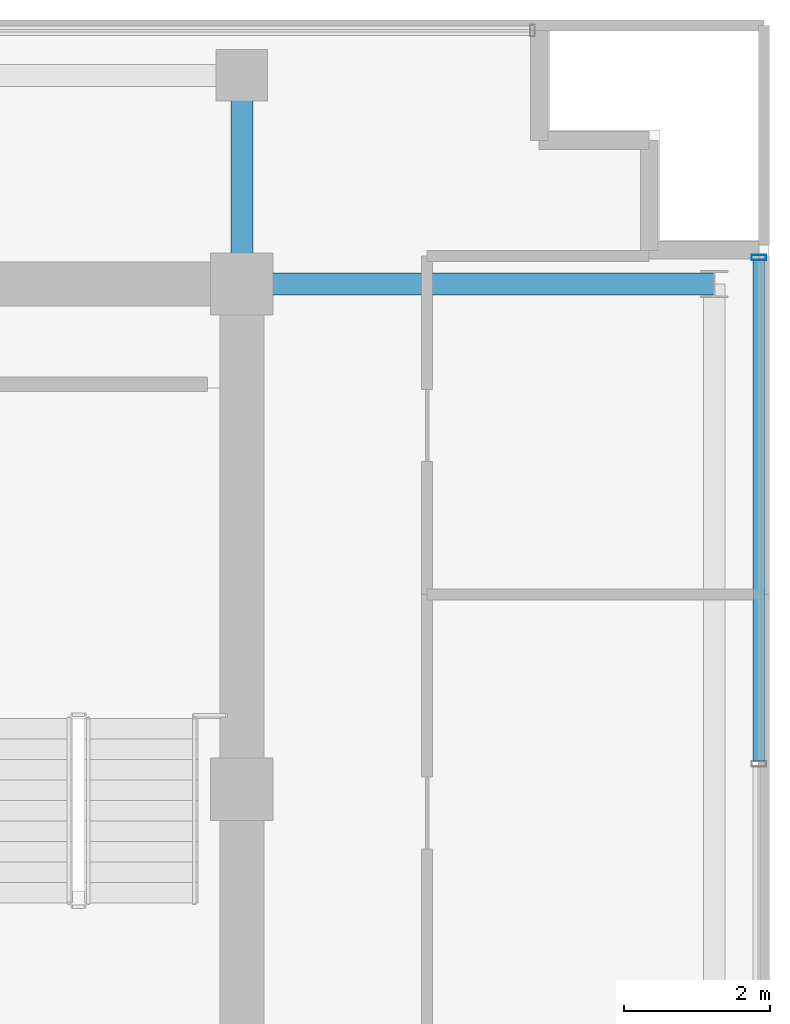
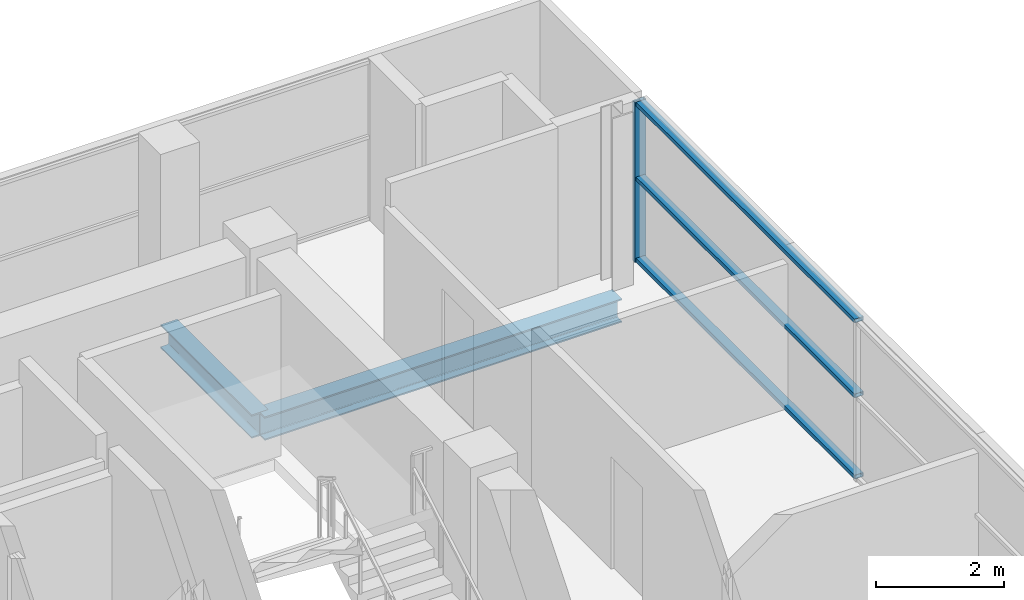
# One storey, part 15 of 28: 4 members, 2 beams, 1 element without a shape of its own.
"""IFC4 building model written with IfcOpenShell, lengths in metres."""

from ifc_helpers import new_model, si_unit, direction, frame, origin, origin_2d, place, context, subcontext, project, spatial, hollow_rectangle, i_section, extrude, source, transform, mapped, material, layer, layer_set, material_profile, profile_set, type_object, element, aggregate, save


model = new_model("IFC4")

# Units and contexts
model_context = context("Model", 3, precision=1e-05, world=origin(), true_north=direction((0.0, 1.0)))
body_context = subcontext(model_context, "Body", "Model", "MODEL_VIEW")
ifc_project = project(units=[si_unit("LENGTHUNIT", "METRE"), si_unit("AREAUNIT", "SQUARE_METRE"), si_unit("VOLUMEUNIT", "CUBIC_METRE"), si_unit("PLANEANGLEUNIT", "RADIAN"), si_unit("MASSUNIT", "GRAM", prefix="KILO")], contexts=[model_context])

# Site, building, storey
site_placement = place(None, origin())
site = spatial("IfcSite", under=ifc_project, at=site_placement, CompositionType="ELEMENT")
building_placement = place(site_placement, origin())
building = spatial("IfcBuilding", under=site, at=building_placement, Name="Zarnakvel Exchange Tower", CompositionType="ELEMENT")
storey_placement = place(building_placement, frame((0.0, 0.0, 261.699951171875)))
storey = spatial("IfcBuildingStorey", under=building, at=storey_placement, Name="L74", CompositionType="ELEMENT", Elevation=261.699951171875)

# Beams
ifc_material_1 = material(Name="Steel S355", Category="steel")
ifc_material_profile_1 = material_profile(ifc_material_1, i_section(OverallWidth=0.300048828125, OverallDepth=0.449951171875, WebThickness=0.013916015625, FlangeThickness=0.02587890625, FilletRadius=0.027099609375, at=origin_2d()))
ifc_profile_set_1 = profile_set([ifc_material_profile_1], Name="Steel S355")
beam_type = type_object("IfcBeamType", Name="G-07", PredefinedType="BEAM", material=ifc_profile_set_1)
beam_1_placement = place(storey_placement, frame((14.39990234375, 13.5, -0.449951171875), z_axis=(1.0, 0.0, 0.0), x_axis=(0.0, 1.0, 0.0)))
element("IfcBeam", 1, at=beam_1_placement, inside=storey, type_object=beam_type, Name="L74 Tower E-W Frame Beam", PredefinedType="BEAM", context=body_context, shape_type="SweptSolid", body=[
    extrude(i_section(OverallWidth=0.300048828125, OverallDepth=0.449951171875, WebThickness=0.013916015625, FlangeThickness=0.02587890625, FilletRadius=0.027099609375, at=origin_2d()), origin(), (0.0, 0.0, 1.0), 6.4501953125),
])
beam_2_placement = place(storey_placement, frame((14.39990234375, 13.5, -0.449951171875), z_axis=(0.0, 1.0, 0.0), x_axis=(-1.0, 0.0, 0.0)))
element("IfcBeam", 2, at=beam_2_placement, inside=storey, type_object=beam_type, Name="L74 Tower N-S Frame Beam", PredefinedType="BEAM", context=body_context, shape_type="SweptSolid", body=[
    extrude(i_section(OverallWidth=0.300048828125, OverallDepth=0.449951171875, WebThickness=0.013916015625, FlangeThickness=0.02587890625, FilletRadius=0.027099609375, at=origin_2d()), origin(), (0.0, 0.0, 1.0), 2.85009765625),
])

# Curtain wall, members
ifc_material_2 = material(Name="Architectural Bronze Anodised Aluminium", Category="aluminium")
ifc_layer = layer(ifc_material_2, 0.199951171875)
ifc_layer_set = layer_set([ifc_layer], Name="Architectural Bronze Anodised Aluminium")
curtain_wall_type = type_object("IfcCurtainWallType", Name="CW-04", PredefinedType="NOTDEFINED", material=ifc_layer_set)
curtain_wall_placement = place(storey_placement, origin())
curtain_wall = element("IfcCurtainWall", 3, at=curtain_wall_placement, inside=storey, type_object=curtain_wall_type, Name="L74 Curtain Wall CW-L74-E1 (CW-04)", PredefinedType="NOTDEFINED")
ifc_material_profile_2 = material_profile(ifc_material_2, hollow_rectangle(XDim=0.199951171875, YDim=0.074951171875, WallThickness=0.0048828125, at=origin_2d()))
ifc_profile_set_2 = profile_set([ifc_material_profile_2], Name="Architectural Bronze Anodised Aluminium")
member_type_1 = type_object("IfcMemberType", Name="CWM-04", PredefinedType="MULLION", material=ifc_profile_set_2)
shared_shape_1 = source(origin(), body_context, "Body", "SweptSolid", [
    extrude(hollow_rectangle(XDim=0.199951171875, YDim=0.074951171875, WallThickness=0.0048828125, at=origin_2d()), origin(), (0.0, 0.0, 1.0), 3.054931640625),
])
member_1_placement = place(storey_placement, frame((21.4599609375, 13.862548828125, 0.0), z_axis=(0.0, 0.0, 1.0), x_axis=(-1.0, 0.0, 0.0)))
member_1 = element("IfcMember", 4, at=member_1_placement, type_object=member_type_1, Name="CW-04 mullion 5", PredefinedType="MULLION", context=body_context, shape_type="MappedRepresentation", body=[
    mapped(shared_shape_1, transform((0.0, 0.0, 0.0), x_axis=(1.0, 0.0, 0.0), y_axis=(0.0, 1.0, 0.0), z_axis=(0.0, 0.0, 1.0), scale=1.0)),
])
ifc_material_profile_3 = material_profile(ifc_material_2, hollow_rectangle(XDim=0.159912109375, YDim=0.074951171875, WallThickness=0.00390625, at=origin_2d()))
ifc_profile_set_3 = profile_set([ifc_material_profile_3], Name="Architectural Bronze Anodised Aluminium")
member_type_2 = type_object("IfcMemberType", Name="CWT-04", PredefinedType="USERDEFINED", material=ifc_profile_set_3)
shared_shape_2 = source(origin(), body_context, "Body", "SweptSolid", [
    extrude(hollow_rectangle(XDim=0.159912109375, YDim=0.074951171875, WallThickness=0.00390625, at=origin_2d()), origin(), (0.0, 0.0, 1.0), 6.83740234375),
])
member_2_placement = place(storey_placement, frame((21.4599609375, 6.987548828125, 0.03759765625), z_axis=(0.0, 1.0, 0.0), x_axis=(-1.0, 0.0, 0.0)))
member_2 = element("IfcMember", 5, at=member_2_placement, type_object=member_type_2, Name="CW-04 transom 4.1", ObjectType="TRANSOM", PredefinedType="USERDEFINED", context=body_context, shape_type="MappedRepresentation", body=[
    mapped(shared_shape_2, transform((0.0, 0.0, 0.0), x_axis=(1.0, 0.0, 0.0), y_axis=(0.0, 1.0, 0.0), z_axis=(0.0, 0.0, 1.0), scale=1.0)),
])
member_3_placement = place(storey_placement, frame((21.4599609375, 6.987548828125, 1.588623046875), z_axis=(0.0, 1.0, 0.0), x_axis=(-1.0, 0.0, 0.0)))
member_3 = element("IfcMember", 6, at=member_3_placement, type_object=member_type_2, Name="CW-04 transom 4.2", ObjectType="TRANSOM", PredefinedType="USERDEFINED", context=body_context, shape_type="MappedRepresentation", body=[
    mapped(shared_shape_2, transform((0.0, 0.0, 0.0), x_axis=(1.0, 0.0, 0.0), y_axis=(0.0, 1.0, 0.0), z_axis=(0.0, 0.0, 1.0), scale=1.0)),
])
member_4_placement = place(storey_placement, frame((21.4599609375, 6.987548828125, 3.017578125), z_axis=(0.0, 1.0, 0.0), x_axis=(-1.0, 0.0, 0.0)))
member_4 = element("IfcMember", 7, at=member_4_placement, type_object=member_type_2, Name="CW-04 transom 4.3", ObjectType="TRANSOM", PredefinedType="USERDEFINED", context=body_context, shape_type="MappedRepresentation", body=[
    mapped(shared_shape_2, transform((0.0, 0.0, 0.0), x_axis=(1.0, 0.0, 0.0), y_axis=(0.0, 1.0, 0.0), z_axis=(0.0, 0.0, 1.0), scale=1.0)),
])
aggregate(curtain_wall, [member_1, member_2, member_3, member_4])

save(model, "model.ifc")
